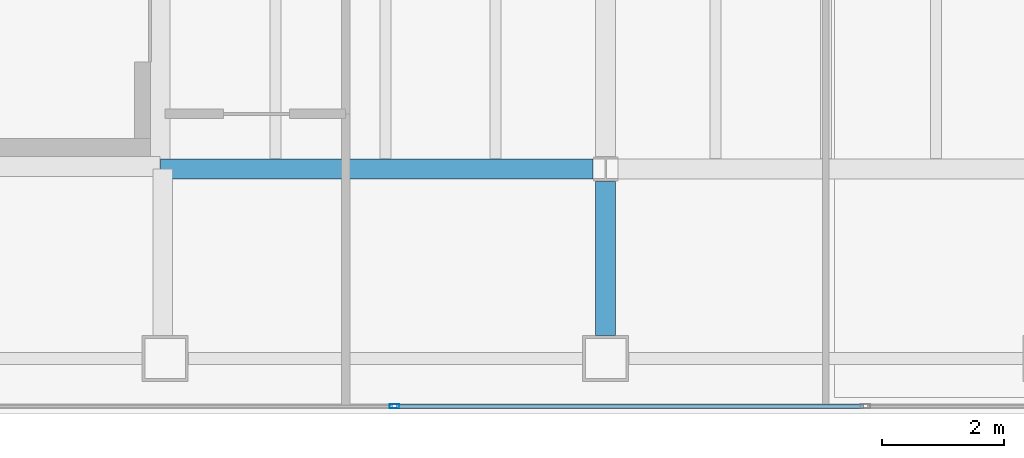
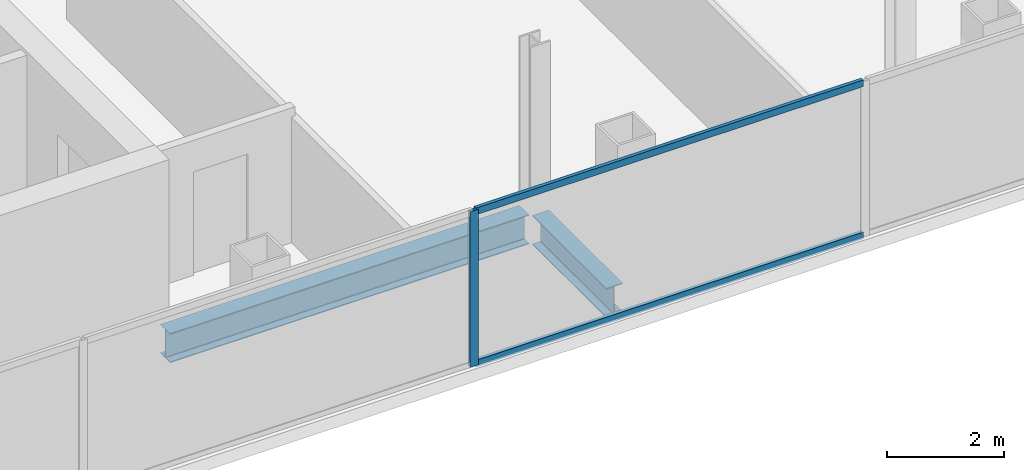
# One storey, part 4 of 23: 3 members, 2 beams, 1 element without a shape of its own.
"""IFC4 building model written with IfcOpenShell, lengths in metres."""

from ifc_helpers import new_model, si_unit, direction, frame, origin, origin_2d, place, context, subcontext, project, spatial, hollow_rectangle, i_section, extrude, material, material_profile, profile_set, type_object, element, aggregate, save


model = new_model("IFC4")

# Units and contexts
model_context = context("Model", 3, precision=1e-05, world=origin(), true_north=direction((0.0, 1.0)))
body_context = subcontext(model_context, "Body", "Model", "MODEL_VIEW")
ifc_project = project(units=[si_unit("LENGTHUNIT", "METRE"), si_unit("AREAUNIT", "SQUARE_METRE"), si_unit("VOLUMEUNIT", "CUBIC_METRE"), si_unit("PLANEANGLEUNIT", "RADIAN"), si_unit("MASSUNIT", "GRAM", prefix="KILO")], contexts=[model_context])

# Site, building, storey
site_placement = place(None, origin())
site = spatial("IfcSite", under=ifc_project, at=site_placement, CompositionType="ELEMENT")
building_placement = place(site_placement, origin())
building = spatial("IfcBuilding", under=site, at=building_placement, Name="Cobrela Telecom Tower", CompositionType="ELEMENT")
storey_placement = place(building_placement, frame((0.0, 0.0, 208.25)))
storey = spatial("IfcBuildingStorey", under=building, at=storey_placement, Name="L53", CompositionType="ELEMENT", Elevation=208.25)

# Beams
ifc_material_1 = material(Name="Steel ASTM A992 Grade 50", Category="steel")
ifc_material_profile_1 = material_profile(ifc_material_1, i_section(OverallWidth=0.324951171875, OverallDepth=0.612060546875, WebThickness=0.0126953125, FlangeThickness=0.01904296875, FilletRadius=0.014892578125, at=origin_2d()), Name="W24X104")
ifc_profile_set_1 = profile_set([ifc_material_profile_1], Name="Steel ASTM A992 Grade 50")
beam_type = type_object("IfcBeamType", Name="BM-GIRD-07", PredefinedType="USERDEFINED", material=ifc_profile_set_1)
beam_1_placement = place(storey_placement, frame((14.324951171875, 7.199951171875, -0.56591796875), z_axis=(1.0, 0.0, 0.0), x_axis=(0.0, 1.0, 0.0)))
element("IfcBeam", 1, at=beam_1_placement, inside=storey, type_object=beam_type, Name="L53 Primary Girder X07", ObjectType="GIRDER", PredefinedType="USERDEFINED", context=body_context, shape_type="SweptSolid", body=[
    extrude(i_section(OverallWidth=0.324951171875, OverallDepth=0.612060546875, WebThickness=0.0126953125, FlangeThickness=0.01904296875, FilletRadius=0.014892578125, at=origin_2d()), origin(), (0.0, 0.0, 1.0), 7.070556640625),
])
beam_2_placement = place(storey_placement, frame((21.60009765625, 4.47998046875, -0.56591796875), z_axis=(0.0, 1.0, 0.0), x_axis=(-1.0, 0.0, 0.0)))
element("IfcBeam", 2, at=beam_2_placement, inside=storey, type_object=beam_type, Name="L53 Primary Girder Y32", ObjectType="GIRDER", PredefinedType="USERDEFINED", context=body_context, shape_type="SweptSolid", body=[
    extrude(i_section(OverallWidth=0.324951171875, OverallDepth=0.612060546875, WebThickness=0.0126953125, FlangeThickness=0.01904296875, FilletRadius=0.014892578125, at=origin_2d()), origin(), (0.0, 0.0, 1.0), 2.515625),
])

# Curtain wall, members
ifc_material_2 = material(Name="Anodized Bronze Aluminium 6063-T6", Category="aluminium")
curtain_wall_type = type_object("IfcCurtainWallType", Name="CW-SYS-OFF-LO", PredefinedType="USERDEFINED", material=ifc_material_2)
curtain_wall_placement = place(storey_placement, origin())
curtain_wall = element("IfcCurtainWall", 3, at=curtain_wall_placement, inside=storey, type_object=curtain_wall_type, Name="L53 Unitised Bronze Curtain Wall 17", ObjectType="UNITISED CURTAIN WALL", PredefinedType="USERDEFINED")
ifc_material_profile_2 = material_profile(ifc_material_2, hollow_rectangle(XDim=0.070068359375, YDim=0.159912109375, WallThickness=0.00390625, at=origin_2d()), Name="ALU 70x160x4")
ifc_profile_set_2 = profile_set([ifc_material_profile_2], Name="Anodized Bronze Aluminium 6063-T6")
member_type_1 = type_object("IfcMemberType", Name="CW-SYS-OFF-LO-MUL", PredefinedType="MULLION", material=ifc_profile_set_2)
member_1_placement = place(storey_placement, frame((18.14990234375, 3.320068359375, 0.0), z_axis=(0.0, 0.0, 1.0), x_axis=(0.0, -1.0, 0.0)))
member_1 = element("IfcMember", 4, at=member_1_placement, type_object=member_type_1, Name="CW-OFF-LO mullion 4", PredefinedType="MULLION", context=body_context, shape_type="SweptSolid", body=[
    extrude(hollow_rectangle(XDim=0.070068359375, YDim=0.159912109375, WallThickness=0.00390625, at=origin_2d()), origin(), (0.0, 0.0, 1.0), 3.239990234375),
])
ifc_material_profile_3 = material_profile(ifc_material_2, hollow_rectangle(XDim=0.070068359375, YDim=0.139892578125, WallThickness=0.00390625, at=origin_2d()), Name="ALU 70x140x4")
ifc_profile_set_3 = profile_set([ifc_material_profile_3], Name="Anodized Bronze Aluminium 6063-T6")
member_type_2 = type_object("IfcMemberType", Name="CW-SYS-OFF-LO-TRN", PredefinedType="USERDEFINED", material=ifc_profile_set_3)
member_2_placement = place(storey_placement, frame((25.81494140625, 3.320068359375, 0.034912109375), z_axis=(-1.0, 0.0, 0.0), x_axis=(0.0, -1.0, 0.0)))
member_2 = element("IfcMember", 5, at=member_2_placement, type_object=member_type_2, Name="CW-OFF-LO transom 3.1", ObjectType="TRANSOM", PredefinedType="USERDEFINED", context=body_context, shape_type="SweptSolid", body=[
    extrude(hollow_rectangle(XDim=0.070068359375, YDim=0.139892578125, WallThickness=0.00390625, at=origin_2d()), origin(), (0.0, 0.0, 1.0), 7.6298828125),
])
member_3_placement = place(storey_placement, frame((25.81494140625, 3.320068359375, 3.205078125), z_axis=(-1.0, 0.0, 0.0), x_axis=(0.0, -1.0, 0.0)))
member_3 = element("IfcMember", 6, at=member_3_placement, type_object=member_type_2, Name="CW-OFF-LO transom 3.2", ObjectType="TRANSOM", PredefinedType="USERDEFINED", context=body_context, shape_type="SweptSolid", body=[
    extrude(hollow_rectangle(XDim=0.070068359375, YDim=0.139892578125, WallThickness=0.00390625, at=origin_2d()), origin(), (0.0, 0.0, 1.0), 7.6298828125),
])
aggregate(curtain_wall, [member_1, member_2, member_3])

save(model, "model.ifc")
